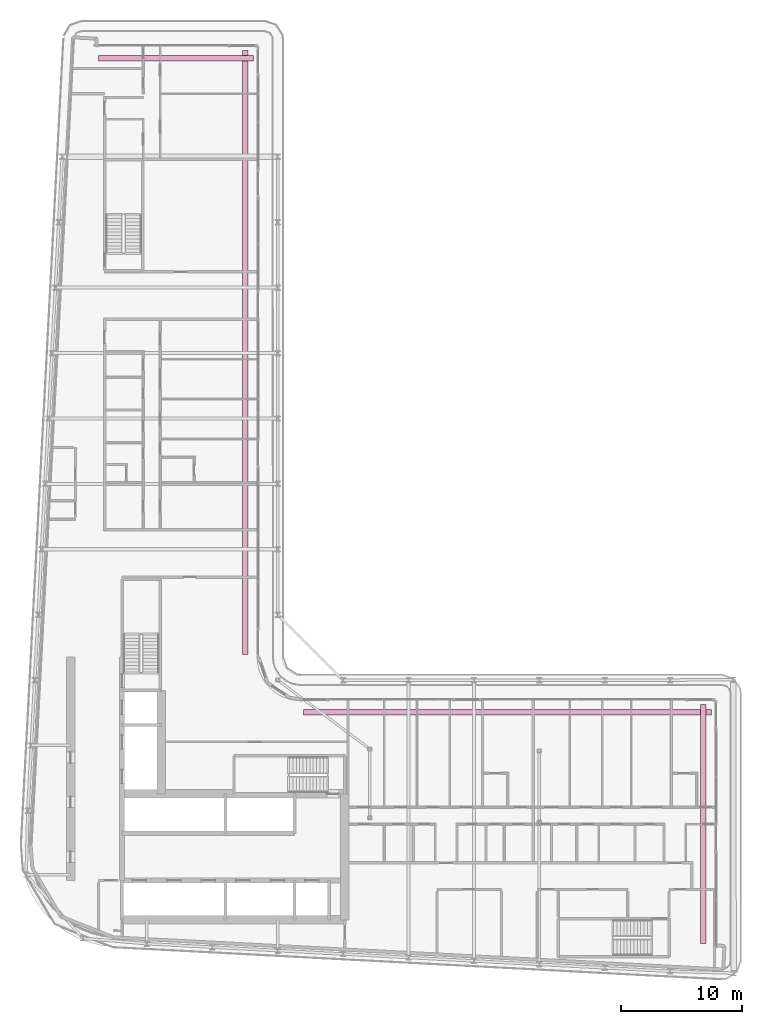
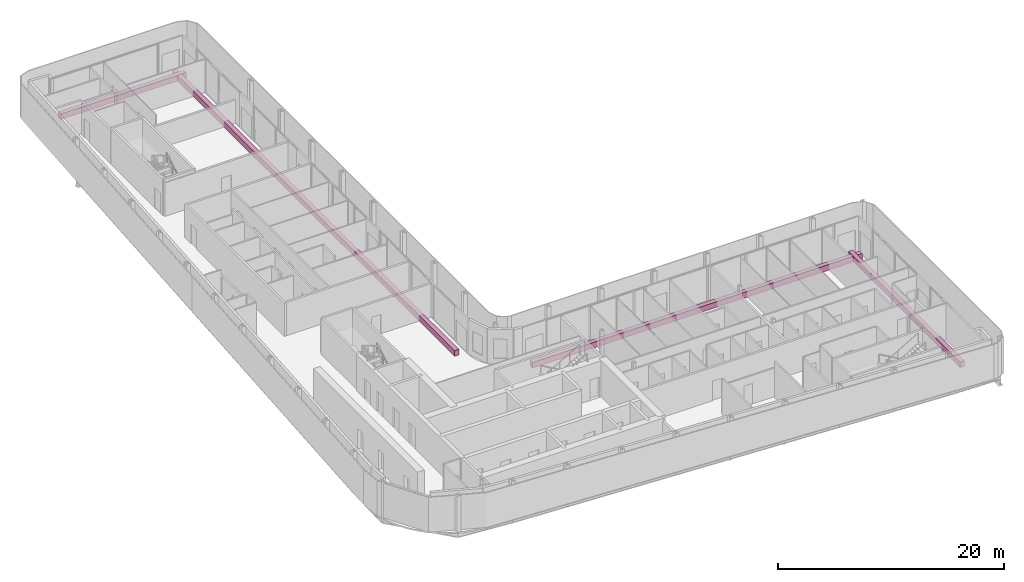
# One storey, part 23 of 23: 4 furniture elements.
"""IFC4 building model written with IfcOpenShell, lengths in metres."""

from ifc_helpers import new_model, si_unit, direction, frame, origin, origin_2d, place, context, subcontext, project, spatial, rectangle, extrude, material, type_object, element, save


model = new_model("IFC4")

# Units and contexts
model_context = context("Model", 3, precision=1e-05, world=origin(), true_north=direction((0.0, 1.0)))
body_context = subcontext(model_context, "Body", "Model", "MODEL_VIEW")
ifc_project = project(units=[si_unit("LENGTHUNIT", "METRE"), si_unit("AREAUNIT", "SQUARE_METRE"), si_unit("VOLUMEUNIT", "CUBIC_METRE"), si_unit("PLANEANGLEUNIT", "RADIAN"), si_unit("MASSUNIT", "GRAM", prefix="KILO")], contexts=[model_context])

# Site, building, storey
site_placement = place(None, origin())
site = spatial("IfcSite", under=ifc_project, at=site_placement, CompositionType="ELEMENT")
building_placement = place(site_placement, origin())
building = spatial("IfcBuilding", under=site, at=building_placement, Name="Kheshtan School and Residences Tower", CompositionType="ELEMENT")
storey_placement = place(building_placement, frame((0.0, 0.0, 243.5)))
storey = spatial("IfcBuildingStorey", under=building, at=storey_placement, Name="L57", CompositionType="ELEMENT", Elevation=243.5)

# Furniture
ifc_material = material(Name="Precast concrete C30/37 in terracotta finish", Category="masonry")
furniture_type = type_object("IfcFurnitureType", Name="Planter trough", AssemblyPlace="NOTDEFINED", PredefinedType="USERDEFINED", material=ifc_material)
furniture_1_placement = place(storey_placement, frame((39.196044921875, 96.925048828125, 0.0), z_axis=(0.0, 0.0, 1.0), x_axis=(1.0, 0.0, 0.0)))
element("IfcFurniture", 1, at=furniture_1_placement, inside=storey, type_object=furniture_type, Name="Planter L57", ObjectType="PLANTER", PredefinedType="USERDEFINED", context=body_context, shape_type="SweptSolid", body=[
    extrude(rectangle(XDim=12.80810546875, YDim=0.449951171875, at=origin_2d()), origin(), (0.0, 0.0, 1.0), 0.60009765625),
])
furniture_2_placement = place(storey_placement, frame((44.925048828125, 72.6650390625, 0.0), z_axis=(0.0, 0.0, 1.0), x_axis=(0.0, -1.0, 0.0)))
element("IfcFurniture", 2, at=furniture_2_placement, inside=storey, type_object=furniture_type, Name="Planter L57", ObjectType="PLANTER", PredefinedType="USERDEFINED", context=body_context, shape_type="SweptSolid", body=[
    extrude(rectangle(XDim=49.8701171875, YDim=0.449951171875, at=origin_2d()), origin(), (0.0, 0.0, 1.0), 0.60009765625),
])
furniture_3_placement = place(storey_placement, frame((66.56494140625, 42.925048828125, 0.0), z_axis=(0.0, 0.0, 1.0), x_axis=(1.0, 0.0, 0.0)))
element("IfcFurniture", 3, at=furniture_3_placement, inside=storey, type_object=furniture_type, Name="Planter L57", ObjectType="PLANTER", PredefinedType="USERDEFINED", context=body_context, shape_type="SweptSolid", body=[
    extrude(rectangle(XDim=33.669921875, YDim=0.449951171875, at=origin_2d()), origin(), (0.0, 0.0, 1.0), 0.60009765625),
])
furniture_4_placement = place(storey_placement, frame((82.72509765625, 33.73291015625, 0.0), z_axis=(0.0, 0.0, 1.0), x_axis=(0.0, -1.0, 0.0)))
element("IfcFurniture", 4, at=furniture_4_placement, inside=storey, type_object=furniture_type, Name="Planter L57", ObjectType="PLANTER", PredefinedType="USERDEFINED", context=body_context, shape_type="SweptSolid", body=[
    extrude(rectangle(XDim=19.73291015625, YDim=0.449951171875, at=origin_2d()), origin(), (0.0, 0.0, 1.0), 0.60009765625),
])

save(model, "model.ifc")
